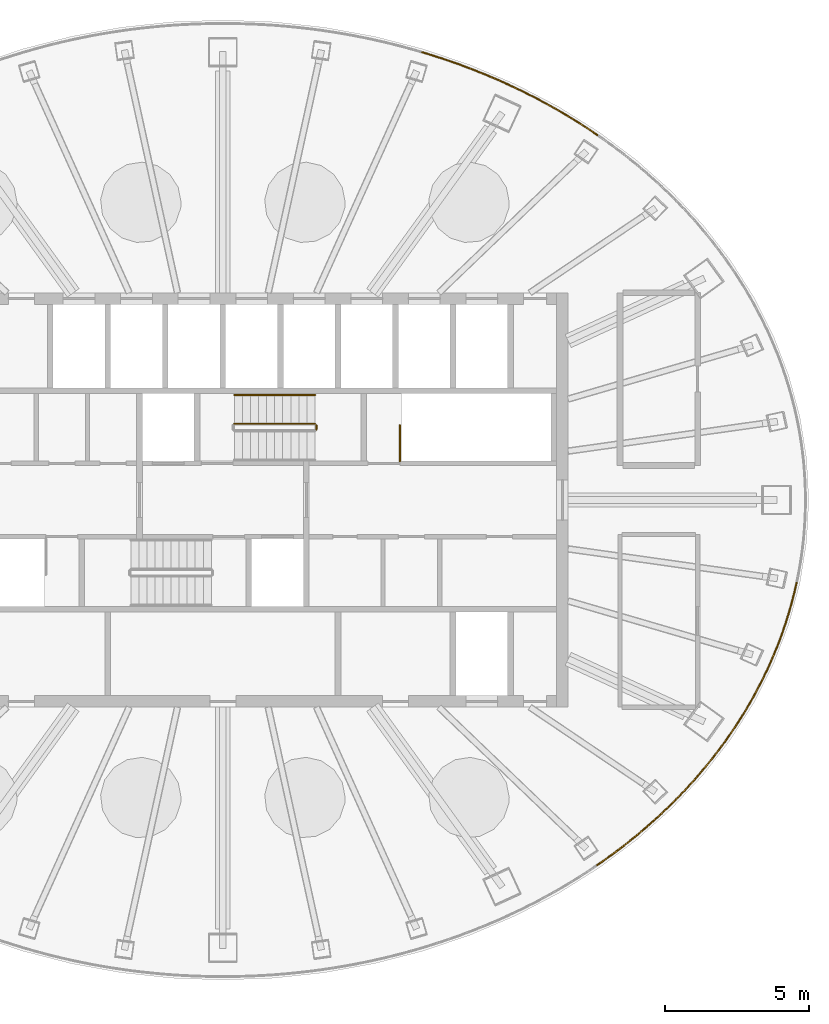
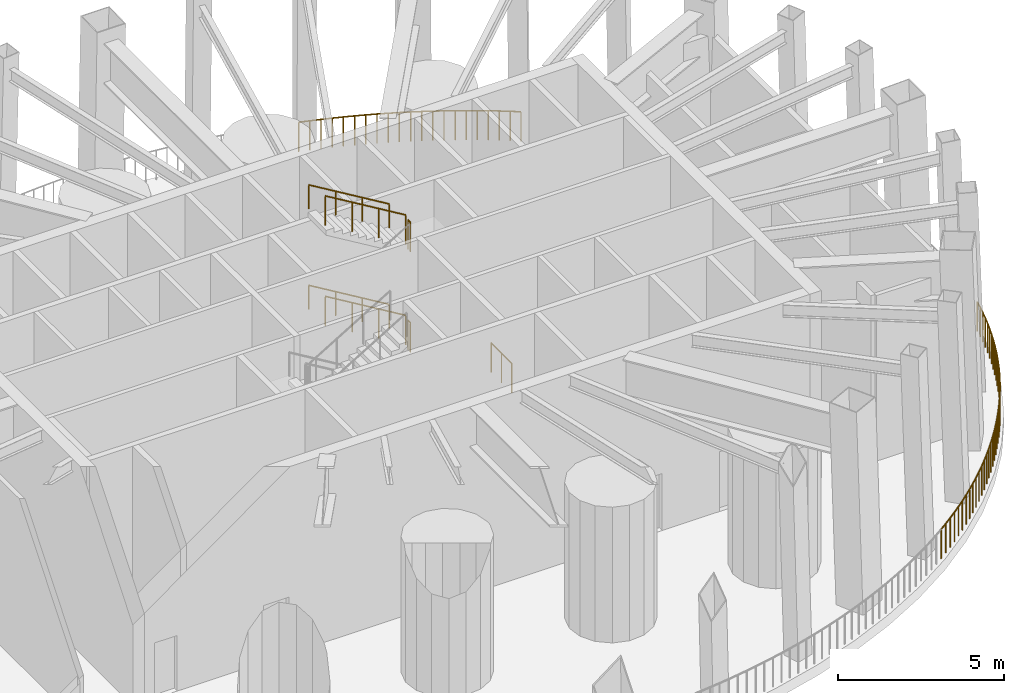
# One storey, part 9 of 12: 13 railings.
"""IFC4 building model written with IfcOpenShell, lengths in metres."""

from ifc_helpers import new_model, si_unit, direction, frame, origin, origin_2d, place, context, subcontext, project, spatial, circle, extrude, material, type_object, element, save


model = new_model("IFC4")

# Units and contexts
model_context = context("Model", 3, precision=1e-05, world=origin(), true_north=direction((0.0, 1.0)))
body_context = subcontext(model_context, "Body", "Model", "MODEL_VIEW")
ifc_project = project(units=[si_unit("LENGTHUNIT", "METRE"), si_unit("AREAUNIT", "SQUARE_METRE"), si_unit("VOLUMEUNIT", "CUBIC_METRE"), si_unit("PLANEANGLEUNIT", "RADIAN"), si_unit("MASSUNIT", "GRAM", prefix="KILO")], contexts=[model_context])

# Site, building, storey
site_placement = place(None, origin())
site = spatial("IfcSite", under=ifc_project, at=site_placement, CompositionType="ELEMENT")
building_placement = place(site_placement, origin())
building = spatial("IfcBuilding", under=site, at=building_placement, Name="Siaravel Broadcast Tower", CompositionType="ELEMENT")
storey_placement = place(building_placement, frame((0.0, 0.0, 265.199951171875)))
storey = spatial("IfcBuildingStorey", under=building, at=storey_placement, Name="L65", CompositionType="ELEMENT", Elevation=265.199951171875)

# Railings
ifc_material_1 = material(Name="Steel S355", Category="steel")
railing_type_1 = type_object("IfcRailingType", Name="Guard 1100", PredefinedType="GUARDRAIL", material=ifc_material_1)
railing_1_placement = place(storey_placement, frame((13.01220703125, 12.685791015625, 0.0)))
element("IfcRailing", 1, at=railing_1_placement, inside=storey, type_object=railing_type_1, Name="L65 turbine slot guard 06", PredefinedType="GUARDRAIL", context=body_context, shape_type="SweptSolid", body=[
    extrude(circle(Radius=0.02392578125, at=origin_2d()), frame((0.0, 0.0, 1.076171875), z_axis=(-0.829528203, 0.558464824, 0.0), x_axis=(-0.558464824, -0.829528203, 0.0)), (0.0, 0.0, 1.0), 0.328857421875),
    extrude(circle(Radius=0.02392578125, at=origin_2d()), frame((-0.272705078125, 0.18359375, 1.076171875), z_axis=(-0.837698917, 0.546132333, 0.0), x_axis=(-0.546132333, -0.837698917, 0.0)), (0.0, 0.0, 1.0), 0.329833984375),
    extrude(circle(Radius=0.02392578125, at=origin_2d()), frame((-0.549072265625, 0.36376953125, 1.076171875), z_axis=(-0.847168107, 0.531324945, 0.0), x_axis=(-0.531324945, -0.847168107, 0.0)), (0.0, 0.0, 1.0), 0.330810546875),
    extrude(circle(Radius=0.02392578125, at=origin_2d()), frame((-0.829345703125, 0.53955078125, 1.076171875), z_axis=(-0.855671422, 0.517519485, 0.0), x_axis=(-0.517519485, -0.855671422, 0.0)), (0.0, 0.0, 1.0), 0.33203125),
    extrude(circle(Radius=0.02392578125, at=origin_2d()), frame((-1.113525390625, 0.71142578125, 1.076171875), z_axis=(-0.863512914, 0.504326727, 0.0), x_axis=(-0.504326727, -0.863512914, 0.0)), (0.0, 0.0, 1.0), 0.3330078125),
    extrude(circle(Radius=0.02392578125, at=origin_2d()), frame((-1.401123046875, 0.87939453125, 1.076171875), z_axis=(-0.871419303, 0.490538886, 0.0), x_axis=(-0.490538886, -0.871419303, 0.0)), (0.0, 0.0, 1.0), 0.333984375),
    extrude(circle(Radius=0.02392578125, at=origin_2d()), frame((-1.692138671875, 1.043212890625, 1.076171875), z_axis=(-0.879533447, 0.475837068, 0.0), x_axis=(-0.475837068, -0.879533447, 0.0)), (0.0, 0.0, 1.0), 0.3349609375),
    extrude(circle(Radius=0.02392578125, at=origin_2d()), frame((-1.98681640625, 1.20263671875, 1.076171875), z_axis=(-0.886895484, 0.461970129, 0.0), x_axis=(-0.461970129, -0.886895484, 0.0)), (0.0, 0.0, 1.0), 0.336181640625),
    extrude(circle(Radius=0.02392578125, at=origin_2d()), frame((-2.284912109375, 1.35791015625, 1.076171875), z_axis=(-0.893991735, 0.448083449, 0.0), x_axis=(-0.448083449, -0.893991735, 0.0)), (0.0, 0.0, 1.0), 0.336669921875),
    extrude(circle(Radius=0.02392578125, at=origin_2d()), frame((-2.5859375, 1.5087890625, 1.076171875), z_axis=(-0.900834276, 0.434163111, 0.0), x_axis=(-0.434163111, -0.900834276, 0.0)), (0.0, 0.0, 1.0), 0.337890625),
    extrude(circle(Radius=0.02099609375, at=origin_2d()), origin(), (0.0, 0.0, 1.0), 1.052001953125),
    extrude(circle(Radius=0.02099609375, at=origin_2d()), frame((-0.272705078125, 0.18359375, 0.0)), (0.0, 0.0, 1.0), 1.052001953125),
    extrude(circle(Radius=0.02099609375, at=origin_2d()), frame((-0.549072265625, 0.36376953125, 0.0)), (0.0, 0.0, 1.0), 1.052001953125),
    extrude(circle(Radius=0.02099609375, at=origin_2d()), frame((-0.829345703125, 0.53955078125, 0.0)), (0.0, 0.0, 1.0), 1.052001953125),
    extrude(circle(Radius=0.02099609375, at=origin_2d()), frame((-1.113525390625, 0.71142578125, 0.0)), (0.0, 0.0, 1.0), 1.052001953125),
    extrude(circle(Radius=0.02099609375, at=origin_2d()), frame((-1.401123046875, 0.87939453125, 0.0)), (0.0, 0.0, 1.0), 1.052001953125),
    extrude(circle(Radius=0.02099609375, at=origin_2d()), frame((-1.692138671875, 1.043212890625, 0.0)), (0.0, 0.0, 1.0), 1.052001953125),
    extrude(circle(Radius=0.02099609375, at=origin_2d()), frame((-1.98681640625, 1.20263671875, 0.0)), (0.0, 0.0, 1.0), 1.052001953125),
    extrude(circle(Radius=0.02099609375, at=origin_2d()), frame((-2.284912109375, 1.35791015625, 0.0)), (0.0, 0.0, 1.0), 1.052001953125),
    extrude(circle(Radius=0.02099609375, at=origin_2d()), frame((-2.5859375, 1.5087890625, 0.0)), (0.0, 0.0, 1.0), 1.052001953125),
    extrude(circle(Radius=0.02099609375, at=origin_2d()), frame((-2.890380859375, 1.655517578125, 0.0)), (0.0, 0.0, 1.0), 1.052001953125),
])
railing_2_placement = place(storey_placement, frame((10.121826171875, 14.34130859375, 0.0)))
element("IfcRailing", 2, at=railing_2_placement, inside=storey, type_object=railing_type_1, Name="L65 turbine slot guard 07", PredefinedType="GUARDRAIL", context=body_context, shape_type="SweptSolid", body=[
    extrude(circle(Radius=0.02392578125, at=origin_2d()), frame((0.0, 0.0, 1.076171875), z_axis=(-0.907558421, 0.419925841, 0.0), x_axis=(-0.419925841, -0.907558421, 0.0)), (0.0, 0.0, 1.0), 0.3388671875),
    extrude(circle(Radius=0.02392578125, at=origin_2d()), frame((-0.3076171875, 0.142333984375, 1.076171875), z_axis=(-0.91390041, 0.405938468, 0.0), x_axis=(-0.405938468, -0.91390041, 0.0)), (0.0, 0.0, 1.0), 0.33984375),
    extrude(circle(Radius=0.02392578125, at=origin_2d()), frame((-0.6181640625, 0.2802734375, 1.076171875), z_axis=(-0.919885104, 0.392187959, 0.0), x_axis=(-0.392187959, -0.919885104, 0.0)), (0.0, 0.0, 1.0), 0.340576171875),
    extrude(circle(Radius=0.02392578125, at=origin_2d()), frame((-0.931396484375, 0.413818359375, 1.076171875), z_axis=(-0.925990537, 0.377546721, 0.0), x_axis=(-0.377546721, -0.925990537, 0.0)), (0.0, 0.0, 1.0), 0.341552734375),
    extrude(circle(Radius=0.02392578125, at=origin_2d()), frame((-1.24755859375, 0.542724609375, 1.076171875), z_axis=(-0.931495114, 0.363753835, 0.0), x_axis=(-0.363753835, -0.931495114, 0.0)), (0.0, 0.0, 1.0), 0.34228515625),
    extrude(circle(Radius=0.02392578125, at=origin_2d()), frame((-1.56640625, 0.667236328125, 1.076171875), z_axis=(-0.936999941, 0.349329515, 0.0), x_axis=(-0.349329515, -0.936999941, 0.0)), (0.0, 0.0, 1.0), 0.34326171875),
    extrude(circle(Radius=0.02392578125, at=origin_2d()), frame((-1.887939453125, 0.787109375, 1.076171875), z_axis=(-0.942174841, 0.335121722, 0.0), x_axis=(-0.335121722, -0.942174841, 0.0)), (0.0, 0.0, 1.0), 0.34375),
    extrude(circle(Radius=0.02392578125, at=origin_2d()), frame((-2.2119140625, 0.90234375, 1.076171875), z_axis=(-0.9471862, 0.320684117, 0.0), x_axis=(-0.320684117, -0.9471862, 0.0)), (0.0, 0.0, 1.0), 0.344970703125),
    extrude(circle(Radius=0.02392578125, at=origin_2d()), frame((-2.53857421875, 1.012939453125, 1.076171875), z_axis=(-0.951748596, 0.306878819, 0.0), x_axis=(-0.306878819, -0.951748596, 0.0)), (0.0, 0.0, 1.0), 0.34521484375),
    extrude(circle(Radius=0.02392578125, at=origin_2d()), frame((-2.8671875, 1.118896484375, 1.076171875), z_axis=(-0.956417251, 0.292003497, 0.0), x_axis=(-0.292003497, -0.956417251, 0.0)), (0.0, 0.0, 1.0), 0.34619140625),
    extrude(circle(Radius=0.02099609375, at=origin_2d()), origin(), (0.0, 0.0, 1.0), 1.052001953125),
    extrude(circle(Radius=0.02099609375, at=origin_2d()), frame((-0.3076171875, 0.142333984375, 0.0)), (0.0, 0.0, 1.0), 1.052001953125),
    extrude(circle(Radius=0.02099609375, at=origin_2d()), frame((-0.6181640625, 0.2802734375, 0.0)), (0.0, 0.0, 1.0), 1.052001953125),
    extrude(circle(Radius=0.02099609375, at=origin_2d()), frame((-0.931396484375, 0.413818359375, 0.0)), (0.0, 0.0, 1.0), 1.052001953125),
    extrude(circle(Radius=0.02099609375, at=origin_2d()), frame((-1.24755859375, 0.542724609375, 0.0)), (0.0, 0.0, 1.0), 1.052001953125),
    extrude(circle(Radius=0.02099609375, at=origin_2d()), frame((-1.56640625, 0.667236328125, 0.0)), (0.0, 0.0, 1.0), 1.052001953125),
    extrude(circle(Radius=0.02099609375, at=origin_2d()), frame((-1.887939453125, 0.787109375, 0.0)), (0.0, 0.0, 1.0), 1.052001953125),
    extrude(circle(Radius=0.02099609375, at=origin_2d()), frame((-2.2119140625, 0.90234375, 0.0)), (0.0, 0.0, 1.0), 1.052001953125),
    extrude(circle(Radius=0.02099609375, at=origin_2d()), frame((-2.53857421875, 1.012939453125, 0.0)), (0.0, 0.0, 1.0), 1.052001953125),
    extrude(circle(Radius=0.02099609375, at=origin_2d()), frame((-2.8671875, 1.118896484375, 0.0)), (0.0, 0.0, 1.0), 1.052001953125),
    extrude(circle(Radius=0.02099609375, at=origin_2d()), frame((-3.1982421875, 1.219970703125, 0.0)), (0.0, 0.0, 1.0), 1.052001953125),
])
railing_3_placement = place(storey_placement, frame((13.01220703125, -12.685791015625, 0.0)))
element("IfcRailing", 3, at=railing_3_placement, inside=storey, type_object=railing_type_1, Name="L65 turbine slot guard 32", PredefinedType="GUARDRAIL", context=body_context, shape_type="SweptSolid", body=[
    extrude(circle(Radius=0.02392578125, at=origin_2d()), frame((0.0, 0.0, 1.076171875), z_axis=(0.819826176, 0.57261247, 0.0), x_axis=(-0.57261247, 0.819826176, 0.0)), (0.0, 0.0, 1.0), 0.327880859375),
    extrude(circle(Radius=0.02392578125, at=origin_2d()), frame((0.268798828125, 0.187744140625, 1.076171875), z_axis=(0.809672613, 0.586881811, 0.0), x_axis=(-0.586881811, 0.809672613, 0.0)), (0.0, 0.0, 1.0), 0.32666015625),
    extrude(circle(Radius=0.02392578125, at=origin_2d()), frame((0.533203125, 0.37939453125, 1.076171875), z_axis=(0.800089973, 0.599880017, 0.0), x_axis=(-0.599880017, 0.800089973, 0.0)), (0.0, 0.0, 1.0), 0.32568359375),
    extrude(circle(Radius=0.02392578125, at=origin_2d()), frame((0.793701171875, 0.57470703125, 1.076171875), z_axis=(0.790323933, 0.61268922, 0.0), x_axis=(-0.61268922, 0.790323933, 0.0)), (0.0, 0.0, 1.0), 0.324462890625),
    extrude(circle(Radius=0.02392578125, at=origin_2d()), frame((1.050048828125, 0.7734375, 1.076171875), z_axis=(0.779245516, 0.626718777, 0.0), x_axis=(-0.626718777, 0.779245516, 0.0)), (0.0, 0.0, 1.0), 0.3232421875),
    extrude(circle(Radius=0.02392578125, at=origin_2d()), frame((1.302001953125, 0.97607421875, 1.076171875), z_axis=(0.768531507, 0.639811944, 0.0), x_axis=(-0.639811944, 0.768531507, 0.0)), (0.0, 0.0, 1.0), 0.322509765625),
    extrude(circle(Radius=0.02392578125, at=origin_2d()), frame((1.5498046875, 1.182373046875, 1.076171875), z_axis=(0.757643412, 0.652668722, 0.0), x_axis=(-0.652668722, 0.757643412, 0.0)), (0.0, 0.0, 1.0), 0.321044921875),
    extrude(circle(Radius=0.02392578125, at=origin_2d()), frame((1.79296875, 1.391845703125, 1.076171875), z_axis=(0.746018863, 0.665924813, 0.0), x_axis=(-0.665924813, 0.746018863, 0.0)), (0.0, 0.0, 1.0), 0.320068359375),
    extrude(circle(Radius=0.02392578125, at=origin_2d()), frame((2.03173828125, 1.60498046875, 1.076171875), z_axis=(0.734128059, 0.679011041, 0.0), x_axis=(-0.679011041, 0.734128059, 0.0)), (0.0, 0.0, 1.0), 0.31884765625),
    extrude(circle(Radius=0.02392578125, at=origin_2d()), frame((2.265869140625, 1.821533203125, 1.076171875), z_axis=(0.721940194, 0.691955458, 0.0), x_axis=(-0.691955458, 0.721940194, 0.0)), (0.0, 0.0, 1.0), 0.317626953125),
    extrude(circle(Radius=0.02099609375, at=origin_2d()), origin(), (0.0, 0.0, 1.0), 1.052001953125),
    extrude(circle(Radius=0.02099609375, at=origin_2d()), frame((0.268798828125, 0.187744140625, 0.0)), (0.0, 0.0, 1.0), 1.052001953125),
    extrude(circle(Radius=0.02099609375, at=origin_2d()), frame((0.533203125, 0.37939453125, 0.0)), (0.0, 0.0, 1.0), 1.052001953125),
    extrude(circle(Radius=0.02099609375, at=origin_2d()), frame((0.793701171875, 0.57470703125, 0.0)), (0.0, 0.0, 1.0), 1.052001953125),
    extrude(circle(Radius=0.02099609375, at=origin_2d()), frame((1.050048828125, 0.7734375, 0.0)), (0.0, 0.0, 1.0), 1.052001953125),
    extrude(circle(Radius=0.02099609375, at=origin_2d()), frame((1.302001953125, 0.97607421875, 0.0)), (0.0, 0.0, 1.0), 1.052001953125),
    extrude(circle(Radius=0.02099609375, at=origin_2d()), frame((1.5498046875, 1.182373046875, 0.0)), (0.0, 0.0, 1.0), 1.052001953125),
    extrude(circle(Radius=0.02099609375, at=origin_2d()), frame((1.79296875, 1.391845703125, 0.0)), (0.0, 0.0, 1.0), 1.052001953125),
    extrude(circle(Radius=0.02099609375, at=origin_2d()), frame((2.03173828125, 1.60498046875, 0.0)), (0.0, 0.0, 1.0), 1.052001953125),
    extrude(circle(Radius=0.02099609375, at=origin_2d()), frame((2.265869140625, 1.821533203125, 0.0)), (0.0, 0.0, 1.0), 1.052001953125),
    extrude(circle(Radius=0.02099609375, at=origin_2d()), frame((2.4951171875, 2.041259765625, 0.0)), (0.0, 0.0, 1.0), 1.052001953125),
])
railing_4_placement = place(storey_placement, frame((15.50732421875, -10.64453125, 0.0)))
element("IfcRailing", 4, at=railing_4_placement, inside=storey, type_object=railing_type_1, Name="L65 turbine slot guard 33", PredefinedType="GUARDRAIL", context=body_context, shape_type="SweptSolid", body=[
    extrude(circle(Radius=0.02392578125, at=origin_2d()), frame((0.0, 0.0, 1.076171875), z_axis=(0.709799027, 0.704404246, 0.0), x_axis=(-0.704404246, 0.709799027, 0.0)), (0.0, 0.0, 1.0), 0.31689453125),
    extrude(circle(Radius=0.02392578125, at=origin_2d()), frame((0.224853515625, 0.22314453125, 1.076171875), z_axis=(0.697365706, 0.716715475, 0.0), x_axis=(-0.716715475, 0.697365706, 0.0)), (0.0, 0.0, 1.0), 0.3154296875),
    extrude(circle(Radius=0.02392578125, at=origin_2d()), frame((0.44482421875, 0.44921875, 1.076171875), z_axis=(0.684225255, 0.729270732, 0.0), x_axis=(-0.729270732, 0.684225255, 0.0)), (0.0, 0.0, 1.0), 0.314453125),
    extrude(circle(Radius=0.02392578125, at=origin_2d()), frame((0.659912109375, 0.678466796875, 1.076171875), z_axis=(0.670341645, 0.742052612, 0.0), x_axis=(-0.742052612, 0.670341645, 0.0)), (0.0, 0.0, 1.0), 0.313232421875),
    extrude(circle(Radius=0.02392578125, at=origin_2d()), frame((0.869873046875, 0.910888671875, 1.076171875), z_axis=(0.657397085, 0.75354434, 0.0), x_axis=(-0.75354434, 0.657397085, 0.0)), (0.0, 0.0, 1.0), 0.312255859375),
    extrude(circle(Radius=0.02392578125, at=origin_2d()), frame((1.0751953125, 1.146240234375, 1.076171875), z_axis=(0.643652185, 0.765318146, 0.0), x_axis=(-0.765318146, 0.643652185, 0.0)), (0.0, 0.0, 1.0), 0.31103515625),
    extrude(circle(Radius=0.02392578125, at=origin_2d()), frame((1.275390625, 1.38427734375, 1.076171875), z_axis=(0.628722149, 0.777630027, 0.0), x_axis=(-0.777630027, 0.628722149, 0.0)), (0.0, 0.0, 1.0), 0.309814453125),
    extrude(circle(Radius=0.02392578125, at=origin_2d()), frame((1.47021484375, 1.625244140625, 1.076171875), z_axis=(0.614432575, 0.788969335, 0.0), x_axis=(-0.788969335, 0.614432575, 0.0)), (0.0, 0.0, 1.0), 0.30908203125),
    extrude(circle(Radius=0.02392578125, at=origin_2d()), frame((1.66015625, 1.869140625, 1.076171875), z_axis=(0.599619221, 0.800285442, 0.0), x_axis=(-0.800285442, 0.599619221, 0.0)), (0.0, 0.0, 1.0), 0.307861328125),
    extrude(circle(Radius=0.02392578125, at=origin_2d()), frame((1.8447265625, 2.115478515625, 1.076171875), z_axis=(0.584618987, 0.811307981, 0.0), x_axis=(-0.811307981, 0.584618987, 0.0)), (0.0, 0.0, 1.0), 0.306884765625),
    extrude(circle(Radius=0.02099609375, at=origin_2d()), origin(), (0.0, 0.0, 1.0), 1.052001953125),
    extrude(circle(Radius=0.02099609375, at=origin_2d()), frame((0.224853515625, 0.22314453125, 0.0)), (0.0, 0.0, 1.0), 1.052001953125),
    extrude(circle(Radius=0.02099609375, at=origin_2d()), frame((0.44482421875, 0.44921875, 0.0)), (0.0, 0.0, 1.0), 1.052001953125),
    extrude(circle(Radius=0.02099609375, at=origin_2d()), frame((0.659912109375, 0.678466796875, 0.0)), (0.0, 0.0, 1.0), 1.052001953125),
    extrude(circle(Radius=0.02099609375, at=origin_2d()), frame((0.869873046875, 0.910888671875, 0.0)), (0.0, 0.0, 1.0), 1.052001953125),
    extrude(circle(Radius=0.02099609375, at=origin_2d()), frame((1.0751953125, 1.146240234375, 0.0)), (0.0, 0.0, 1.0), 1.052001953125),
    extrude(circle(Radius=0.02099609375, at=origin_2d()), frame((1.275390625, 1.38427734375, 0.0)), (0.0, 0.0, 1.0), 1.052001953125),
    extrude(circle(Radius=0.02099609375, at=origin_2d()), frame((1.47021484375, 1.625244140625, 0.0)), (0.0, 0.0, 1.0), 1.052001953125),
    extrude(circle(Radius=0.02099609375, at=origin_2d()), frame((1.66015625, 1.869140625, 0.0)), (0.0, 0.0, 1.0), 1.052001953125),
    extrude(circle(Radius=0.02099609375, at=origin_2d()), frame((1.8447265625, 2.115478515625, 0.0)), (0.0, 0.0, 1.0), 1.052001953125),
    extrude(circle(Radius=0.02099609375, at=origin_2d()), frame((2.024169921875, 2.364501953125, 0.0)), (0.0, 0.0, 1.0), 1.052001953125),
])
railing_5_placement = place(storey_placement, frame((17.531494140625, -8.280029296875, 0.0)))
element("IfcRailing", 5, at=railing_5_placement, inside=storey, type_object=railing_type_1, Name="L65 turbine slot guard 34", PredefinedType="GUARDRAIL", context=body_context, shape_type="SweptSolid", body=[
    extrude(circle(Radius=0.02392578125, at=origin_2d()), frame((0.0, 0.0, 1.076171875), z_axis=(0.568255054, 0.822852473, 0.0), x_axis=(-0.822852473, 0.568255054, 0.0)), (0.0, 0.0, 1.0), 0.305908203125),
    extrude(circle(Radius=0.02392578125, at=origin_2d()), frame((0.173828125, 0.251708984375, 1.076171875), z_axis=(0.552849831, 0.833280904, 0.0), x_axis=(-0.833280904, 0.552849831, 0.0)), (0.0, 0.0, 1.0), 0.3046875),
    extrude(circle(Radius=0.02392578125, at=origin_2d()), frame((0.34228515625, 0.505615234375, 1.076171875), z_axis=(0.537343158, 0.8433637, 0.0), x_axis=(-0.8433637, 0.537343158, 0.0)), (0.0, 0.0, 1.0), 0.303955078125),
    extrude(circle(Radius=0.02392578125, at=origin_2d()), frame((0.505615234375, 0.761962890625, 1.076171875), z_axis=(0.520177191, 0.854058365, 0.0), x_axis=(-0.854058365, 0.520177191, 0.0)), (0.0, 0.0, 1.0), 0.302734375),
    extrude(circle(Radius=0.02392578125, at=origin_2d()), frame((0.6630859375, 1.0205078125, 1.076171875), z_axis=(0.503519221, 0.863984024, 0.0), x_axis=(-0.863984024, 0.503519221, 0.0)), (0.0, 0.0, 1.0), 0.302001953125),
    extrude(circle(Radius=0.02392578125, at=origin_2d()), frame((0.815185546875, 1.281494140625, 1.076171875), z_axis=(0.487294272, 0.873237821, 0.0), x_axis=(-0.873237821, 0.487294272, 0.0)), (0.0, 0.0, 1.0), 0.301025390625),
    extrude(circle(Radius=0.02392578125, at=origin_2d()), frame((0.9619140625, 1.54443359375, 1.076171875), z_axis=(0.469194862, 0.883094662, 0.0), x_axis=(-0.883094662, 0.469194862, 0.0)), (0.0, 0.0, 1.0), 0.30029296875),
    extrude(circle(Radius=0.02392578125, at=origin_2d()), frame((1.102783203125, 1.8095703125, 1.076171875), z_axis=(0.451453693, 0.89229455, 0.0), x_axis=(-0.89229455, 0.451453693, 0.0)), (0.0, 0.0, 1.0), 0.299072265625),
    extrude(circle(Radius=0.02392578125, at=origin_2d()), frame((1.23779296875, 2.076416015625, 1.076171875), z_axis=(0.434085971, 0.90087145, 0.0), x_axis=(-0.90087145, 0.434085971, 0.0)), (0.0, 0.0, 1.0), 0.298583984375),
    extrude(circle(Radius=0.02392578125, at=origin_2d()), frame((1.367431640625, 2.345458984375, 1.076171875), z_axis=(0.415779141, 0.909465616, 0.0), x_axis=(-0.909465616, 0.415779141, 0.0)), (0.0, 0.0, 1.0), 0.297607421875),
    extrude(circle(Radius=0.02099609375, at=origin_2d()), origin(), (0.0, 0.0, 1.0), 1.052001953125),
    extrude(circle(Radius=0.02099609375, at=origin_2d()), frame((0.173828125, 0.251708984375, 0.0)), (0.0, 0.0, 1.0), 1.052001953125),
    extrude(circle(Radius=0.02099609375, at=origin_2d()), frame((0.34228515625, 0.505615234375, 0.0)), (0.0, 0.0, 1.0), 1.052001953125),
    extrude(circle(Radius=0.02099609375, at=origin_2d()), frame((0.505615234375, 0.761962890625, 0.0)), (0.0, 0.0, 1.0), 1.052001953125),
    extrude(circle(Radius=0.02099609375, at=origin_2d()), frame((0.6630859375, 1.0205078125, 0.0)), (0.0, 0.0, 1.0), 1.052001953125),
    extrude(circle(Radius=0.02099609375, at=origin_2d()), frame((0.815185546875, 1.281494140625, 0.0)), (0.0, 0.0, 1.0), 1.052001953125),
    extrude(circle(Radius=0.02099609375, at=origin_2d()), frame((0.9619140625, 1.54443359375, 0.0)), (0.0, 0.0, 1.0), 1.052001953125),
    extrude(circle(Radius=0.02099609375, at=origin_2d()), frame((1.102783203125, 1.8095703125, 0.0)), (0.0, 0.0, 1.0), 1.052001953125),
    extrude(circle(Radius=0.02099609375, at=origin_2d()), frame((1.23779296875, 2.076416015625, 0.0)), (0.0, 0.0, 1.0), 1.052001953125),
    extrude(circle(Radius=0.02099609375, at=origin_2d()), frame((1.367431640625, 2.345458984375, 0.0)), (0.0, 0.0, 1.0), 1.052001953125),
    extrude(circle(Radius=0.02099609375, at=origin_2d()), frame((1.4912109375, 2.6162109375, 0.0)), (0.0, 0.0, 1.0), 1.052001953125),
])
railing_6_placement = place(storey_placement, frame((19.022705078125, -5.663818359375, 0.0)))
element("IfcRailing", 6, at=railing_6_placement, inside=storey, type_object=railing_type_1, Name="L65 turbine slot guard 35", PredefinedType="GUARDRAIL", context=body_context, shape_type="SweptSolid", body=[
    extrude(circle(Radius=0.02392578125, at=origin_2d()), frame((0.0, 0.0, 1.076171875), z_axis=(0.397191994, 0.917735539, 0.0), x_axis=(-0.917735539, 0.397191994, 0.0)), (0.0, 0.0, 1.0), 0.296875),
    extrude(circle(Radius=0.02392578125, at=origin_2d()), frame((0.117919921875, 0.2724609375, 1.076171875), z_axis=(0.378343965, 0.925665082, 0.0), x_axis=(-0.925665082, 0.378343965, 0.0)), (0.0, 0.0, 1.0), 0.296142578125),
    extrude(circle(Radius=0.02392578125, at=origin_2d()), frame((0.22998046875, 0.546630859375, 1.076171875), z_axis=(0.359810351, 0.933025461, 0.0), x_axis=(-0.933025461, 0.359810351, 0.0)), (0.0, 0.0, 1.0), 0.295166015625),
    extrude(circle(Radius=0.02392578125, at=origin_2d()), frame((0.336181640625, 0.822021484375, 1.076171875), z_axis=(0.340478966, 0.940252133, 0.0), x_axis=(-0.940252133, 0.340478966, 0.0)), (0.0, 0.0, 1.0), 0.294677734375),
    extrude(circle(Radius=0.02392578125, at=origin_2d()), frame((0.4365234375, 1.09912109375, 1.076171875), z_axis=(0.320951026, 0.947095792, 0.0), x_axis=(-0.947095792, 0.320951026, 0.0)), (0.0, 0.0, 1.0), 0.29443359375),
    extrude(circle(Radius=0.02392578125, at=origin_2d()), frame((0.531005859375, 1.3779296875, 1.076171875), z_axis=(0.301211011, 0.953557511, 0.0), x_axis=(-0.953557511, 0.301211011, 0.0)), (0.0, 0.0, 1.0), 0.29345703125),
    extrude(circle(Radius=0.02392578125, at=origin_2d()), frame((0.619384765625, 1.65771484375, 1.076171875), z_axis=(0.281760113, 0.959484882, 0.0), x_axis=(-0.959484882, 0.281760113, 0.0)), (0.0, 0.0, 1.0), 0.29296875),
    extrude(circle(Radius=0.02392578125, at=origin_2d()), frame((0.701904296875, 1.938720703125, 1.076171875), z_axis=(0.261561451, 0.965186825, 0.0), x_axis=(-0.965186825, 0.261561451, 0.0)), (0.0, 0.0, 1.0), 0.292236328125),
    extrude(circle(Radius=0.02392578125, at=origin_2d()), frame((0.7783203125, 2.220703125, 1.076171875), z_axis=(0.241748252, 0.970339004, 0.0), x_axis=(-0.970339004, 0.241748252, 0.0)), (0.0, 0.0, 1.0), 0.291748046875),
    extrude(circle(Radius=0.02392578125, at=origin_2d()), frame((0.848876953125, 2.50390625, 1.076171875), z_axis=(0.221005948, 0.97527246, 0.0), x_axis=(-0.97527246, 0.221005948, 0.0)), (0.0, 0.0, 1.0), 0.291748046875),
    extrude(circle(Radius=0.02099609375, at=origin_2d()), origin(), (0.0, 0.0, 1.0), 1.052001953125),
    extrude(circle(Radius=0.02099609375, at=origin_2d()), frame((0.117919921875, 0.2724609375, 0.0)), (0.0, 0.0, 1.0), 1.052001953125),
    extrude(circle(Radius=0.02099609375, at=origin_2d()), frame((0.22998046875, 0.546630859375, 0.0)), (0.0, 0.0, 1.0), 1.052001953125),
    extrude(circle(Radius=0.02099609375, at=origin_2d()), frame((0.336181640625, 0.822021484375, 0.0)), (0.0, 0.0, 1.0), 1.052001953125),
    extrude(circle(Radius=0.02099609375, at=origin_2d()), frame((0.4365234375, 1.09912109375, 0.0)), (0.0, 0.0, 1.0), 1.052001953125),
    extrude(circle(Radius=0.02099609375, at=origin_2d()), frame((0.531005859375, 1.3779296875, 0.0)), (0.0, 0.0, 1.0), 1.052001953125),
    extrude(circle(Radius=0.02099609375, at=origin_2d()), frame((0.619384765625, 1.65771484375, 0.0)), (0.0, 0.0, 1.0), 1.052001953125),
    extrude(circle(Radius=0.02099609375, at=origin_2d()), frame((0.701904296875, 1.938720703125, 0.0)), (0.0, 0.0, 1.0), 1.052001953125),
    extrude(circle(Radius=0.02099609375, at=origin_2d()), frame((0.7783203125, 2.220703125, 0.0)), (0.0, 0.0, 1.0), 1.052001953125),
    extrude(circle(Radius=0.02099609375, at=origin_2d()), frame((0.848876953125, 2.50390625, 0.0)), (0.0, 0.0, 1.0), 1.052001953125),
    extrude(circle(Radius=0.02099609375, at=origin_2d()), frame((0.913330078125, 2.788330078125, 0.0)), (0.0, 0.0, 1.0), 1.052001953125),
])
ifc_material_2 = material(Name="Stainless steel 316L", Category="steel")
railing_type_2 = type_object("IfcRailingType", Name="Stair guard 1100", PredefinedType="GUARDRAIL", material=ifc_material_2)
railing_7_placement = place(storey_placement, frame((6.14990234375, 1.35009765625, 0.0)))
element("IfcRailing", 7, at=railing_7_placement, inside=storey, type_object=railing_type_2, Name="L65 ST-2 top well guard 1", PredefinedType="GUARDRAIL", context=body_context, shape_type="SweptSolid", body=[
    extrude(circle(Radius=0.02392578125, at=origin_2d()), frame((0.0, 0.0, 1.076171875), z_axis=(0.0, 1.0, 0.0), x_axis=(-1.0, 0.0, 0.0)), (0.0, 0.0, 1.0), 1.25),
    extrude(circle(Radius=0.02099609375, at=origin_2d()), origin(), (0.0, 0.0, 1.0), 1.052001953125),
    extrude(circle(Radius=0.02099609375, at=origin_2d()), frame((0.0, 0.625, 0.0)), (0.0, 0.0, 1.0), 1.052001953125),
    extrude(circle(Radius=0.02099609375, at=origin_2d()), frame((0.0, 1.25, 0.0)), (0.0, 0.0, 1.0), 1.052001953125),
])
railing_8_placement = place(storey_placement, frame((3.25, 2.449951171875, 1.85009765625)))
element("IfcRailing", 8, at=railing_8_placement, inside=storey, type_object=railing_type_2, Name="L65 ST-C1 stair guard 2", PredefinedType="GUARDRAIL", context=body_context, shape_type="SweptSolid", body=[
    extrude(circle(Radius=0.02392578125, at=origin_2d()), frame((0.0, 0.0, 1.076171875), z_axis=(0.0, 1.0, 0.0), x_axis=(-1.0, 0.0, 0.0)), (0.0, 0.0, 1.0), 0.150146484375),
    extrude(circle(Radius=0.02099609375, at=origin_2d()), origin(), (0.0, 0.0, 1.0), 1.052001953125),
    extrude(circle(Radius=0.02099609375, at=origin_2d()), frame((0.0, 0.150146484375, 0.0)), (0.0, 0.0, 1.0), 1.052001953125),
])
railing_9_placement = place(storey_placement, frame((3.199951171875, 2.64990234375, 2.018310546875)))
element("IfcRailing", 9, at=railing_9_placement, inside=storey, type_object=railing_type_2, Name="L65 ST-C1 stair guard 3", PredefinedType="GUARDRAIL", context=body_context, shape_type="SweptSolid", body=[
    extrude(circle(Radius=0.02392578125, at=origin_2d()), frame((0.0, 0.0, 1.076171875), z_axis=(-0.857275203, 0.0, 0.514858453), x_axis=(0.0, -1.0, 0.0)), (0.0, 0.0, 1.0), 3.26611328125),
    extrude(circle(Radius=0.02099609375, at=origin_2d()), origin(), (0.0, 0.0, 1.0), 1.052001953125),
    extrude(circle(Radius=0.02099609375, at=origin_2d()), frame((-0.933349609375, 0.0, 0.560546875)), (0.0, 0.0, 1.0), 1.052001953125),
    extrude(circle(Radius=0.02099609375, at=origin_2d()), frame((-1.86669921875, 0.0, 1.12109375)), (0.0, 0.0, 1.0), 1.052001953125),
    extrude(circle(Radius=0.02099609375, at=origin_2d()), frame((-2.800048828125, 0.0, 1.681640625)), (0.0, 0.0, 1.0), 1.052001953125),
])
railing_10_placement = place(storey_placement, frame((3.25, 2.449951171875, 5.550048828125)))
element("IfcRailing", 10, at=railing_10_placement, inside=storey, type_object=railing_type_2, Name="L65 ST-C1 stair guard 6", PredefinedType="GUARDRAIL", context=body_context, shape_type="SweptSolid", body=[
    extrude(circle(Radius=0.02392578125, at=origin_2d()), frame((0.0, 0.0, 1.076171875), z_axis=(0.0, 1.0, 0.0), x_axis=(-1.0, 0.0, 0.0)), (0.0, 0.0, 1.0), 0.150146484375),
    extrude(circle(Radius=0.02099609375, at=origin_2d()), origin(), (0.0, 0.0, 1.0), 1.052001953125),
    extrude(circle(Radius=0.02099609375, at=origin_2d()), frame((0.0, 0.150146484375, 0.0)), (0.0, 0.0, 1.0), 1.052001953125),
])
railing_11_placement = place(storey_placement, frame((3.199951171875, 2.64990234375, 5.71826171875)))
element("IfcRailing", 11, at=railing_11_placement, inside=storey, type_object=railing_type_2, Name="L65 ST-C1 stair guard 7", PredefinedType="GUARDRAIL", context=body_context, shape_type="SweptSolid", body=[
    extrude(circle(Radius=0.02392578125, at=origin_2d()), frame((0.0, 0.0, 1.076171875), z_axis=(-0.857242211, 0.0, 0.514913383), x_axis=(0.0, -1.0, 0.0)), (0.0, 0.0, 1.0), 3.266357421875),
    extrude(circle(Radius=0.02099609375, at=origin_2d()), origin(), (0.0, 0.0, 1.0), 1.052001953125),
    extrude(circle(Radius=0.02099609375, at=origin_2d()), frame((-0.933349609375, 0.0, 0.560546875)), (0.0, 0.0, 1.0), 1.052001953125),
    extrude(circle(Radius=0.02099609375, at=origin_2d()), frame((-1.86669921875, 0.0, 1.121337890625)), (0.0, 0.0, 1.0), 1.052001953125),
    extrude(circle(Radius=0.02099609375, at=origin_2d()), frame((-2.800048828125, 0.0, 1.681884765625)), (0.0, 0.0, 1.0), 1.052001953125),
])
railing_type_3 = type_object("IfcRailingType", Name="Stair handrail 900", PredefinedType="HANDRAIL", material=ifc_material_2)
railing_12_placement = place(storey_placement, frame((3.199951171875, 3.64990234375, 2.018310546875)))
element("IfcRailing", 12, at=railing_12_placement, inside=storey, type_object=railing_type_3, Name="L65 ST-C1 stair handrail 2", PredefinedType="HANDRAIL", context=body_context, shape_type="SweptSolid", body=[
    extrude(circle(Radius=0.02392578125, at=origin_2d()), frame((0.0, 0.0, 0.8759765625), z_axis=(-0.857275203, 0.0, 0.514858453), x_axis=(0.0, -1.0, 0.0)), (0.0, 0.0, 1.0), 3.26611328125),
    extrude(circle(Radius=0.02099609375, at=origin_2d()), origin(), (0.0, 0.0, 1.0), 0.851806640625),
    extrude(circle(Radius=0.02099609375, at=origin_2d()), frame((-0.933349609375, 0.0, 0.560546875)), (0.0, 0.0, 1.0), 0.851806640625),
    extrude(circle(Radius=0.02099609375, at=origin_2d()), frame((-1.86669921875, 0.0, 1.12109375)), (0.0, 0.0, 1.0), 0.851806640625),
    extrude(circle(Radius=0.02099609375, at=origin_2d()), frame((-2.800048828125, 0.0, 1.681640625)), (0.0, 0.0, 1.0), 0.851806640625),
])
railing_13_placement = place(storey_placement, frame((3.199951171875, 3.64990234375, 5.71826171875)))
element("IfcRailing", 13, at=railing_13_placement, inside=storey, type_object=railing_type_3, Name="L65 ST-C1 stair handrail 4", PredefinedType="HANDRAIL", context=body_context, shape_type="SweptSolid", body=[
    extrude(circle(Radius=0.02392578125, at=origin_2d()), frame((0.0, 0.0, 0.8759765625), z_axis=(-0.857242211, 0.0, 0.514913383), x_axis=(0.0, -1.0, 0.0)), (0.0, 0.0, 1.0), 3.266357421875),
    extrude(circle(Radius=0.02099609375, at=origin_2d()), origin(), (0.0, 0.0, 1.0), 0.851806640625),
    extrude(circle(Radius=0.02099609375, at=origin_2d()), frame((-0.933349609375, 0.0, 0.560546875)), (0.0, 0.0, 1.0), 0.851806640625),
    extrude(circle(Radius=0.02099609375, at=origin_2d()), frame((-1.86669921875, 0.0, 1.121337890625)), (0.0, 0.0, 1.0), 0.851806640625),
    extrude(circle(Radius=0.02099609375, at=origin_2d()), frame((-2.800048828125, 0.0, 1.681884765625)), (0.0, 0.0, 1.0), 0.851806640625),
])

save(model, "model.ifc")
